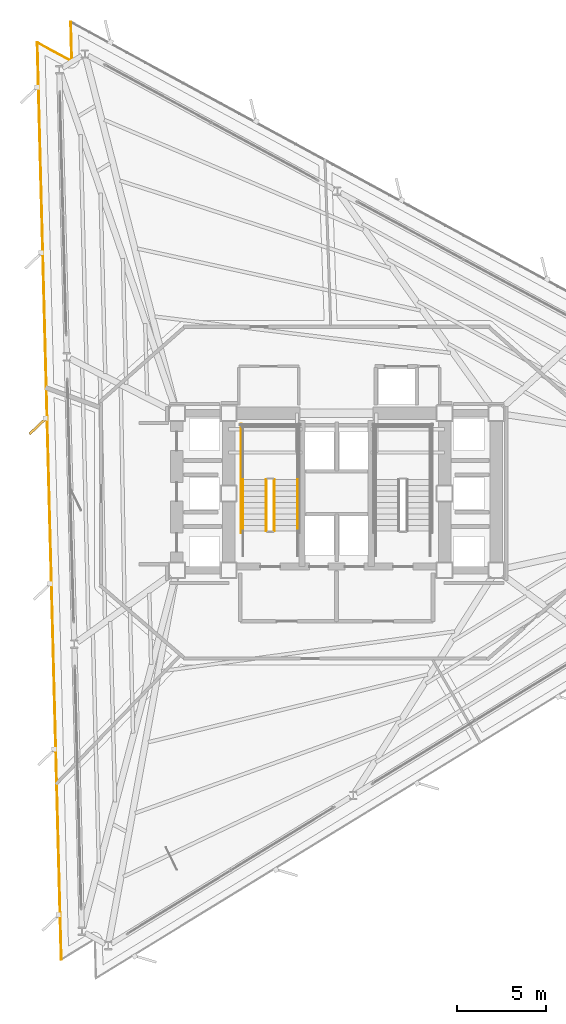
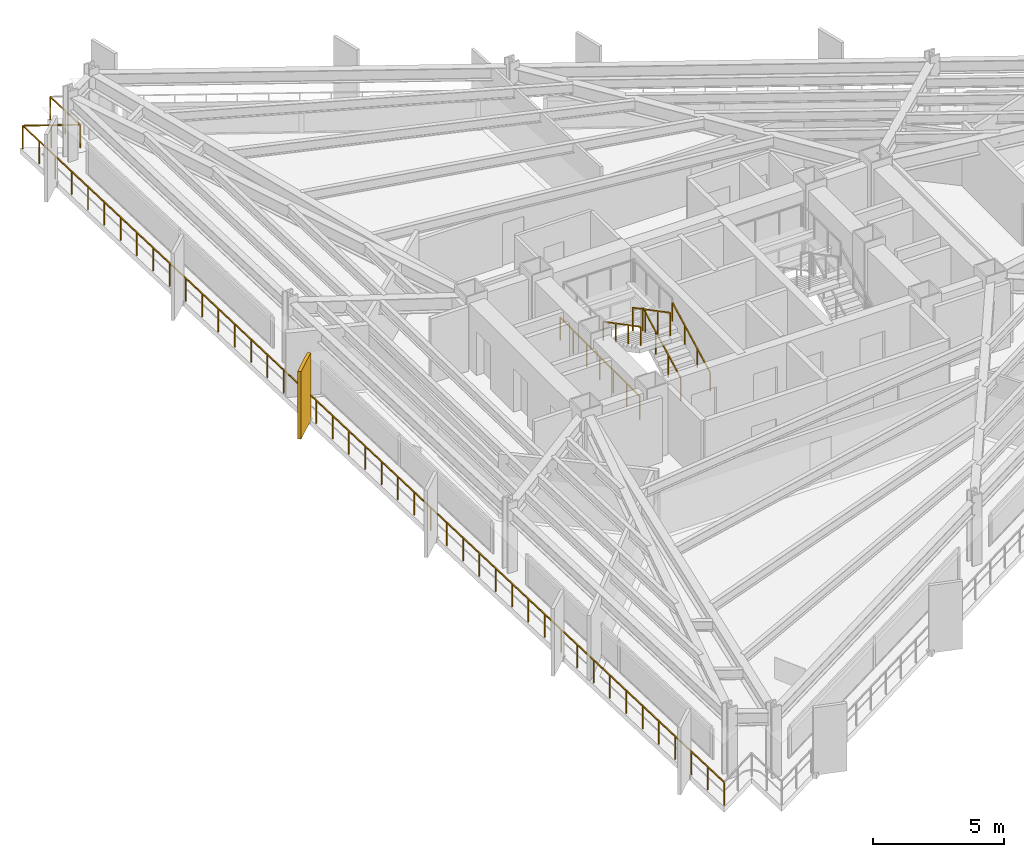
# One storey, part 12 of 14: 6 railings, 1 shading device.
"""IFC4 building model written with IfcOpenShell, lengths in metres."""

from ifc_helpers import new_model, si_unit, direction, frame, origin, origin_2d, place, context, subcontext, project, spatial, rectangle, extrude, material, layer, layer_set, type_object, element, save


model = new_model("IFC4")

# Units and contexts
model_context = context("Model", 3, precision=1e-05, world=origin(), true_north=direction((0.0, 1.0)))
body_context = subcontext(model_context, "Body", "Model", "MODEL_VIEW")
ifc_project = project(units=[si_unit("LENGTHUNIT", "METRE"), si_unit("AREAUNIT", "SQUARE_METRE"), si_unit("VOLUMEUNIT", "CUBIC_METRE"), si_unit("PLANEANGLEUNIT", "RADIAN"), si_unit("MASSUNIT", "GRAM", prefix="KILO")], contexts=[model_context])

# Site, building, storey
site_placement = place(None, origin())
site = spatial("IfcSite", under=ifc_project, at=site_placement, CompositionType="ELEMENT")
building_placement = place(site_placement, origin())
building = spatial("IfcBuilding", under=site, at=building_placement, Name="Rocaltana Carrier Exchange", CompositionType="ELEMENT")
storey_placement = place(building_placement, frame((0.0, 0.0, 42.39990234375)))
storey = spatial("IfcBuildingStorey", under=building, at=storey_placement, Name="L13", CompositionType="ELEMENT", Elevation=42.39990234375)

# Railings
ifc_material_1 = material(Name="Brushed Architectural Stainless Tube", Category="steel")
ifc_layer_1 = layer(ifc_material_1, 0.048095703125)
ifc_layer_set_1 = layer_set([ifc_layer_1], Name="Brushed Architectural Stainless Tube")
railing_type_1 = type_object("IfcRailingType", Name="Stair Wall Handrail 920", PredefinedType="HANDRAIL", material=ifc_layer_set_1)
railing_1_placement = place(storey_placement, frame((-2.18994140625, -2.10009765625, 0.168212890625)))
element("IfcRailing", 1, at=railing_1_placement, inside=storey, type_object=railing_type_1, Name="L13 ST-1 stair handrail 1", PredefinedType="HANDRAIL", context=body_context, shape_type="SweptSolid", body=[
    extrude(rectangle(XDim=0.048095703125, YDim=0.048095703125, at=origin_2d()), frame((0.0, 0.0, 0.8759765625), z_axis=(0.0, 0.885411030485, 0.464808893091), x_axis=(-1.0, 0.0, 0.0)), (0.0, 0.0, 1.0), 3.2529296875),
    extrude(rectangle(XDim=0.0419921875, YDim=0.0419921875, at=origin_2d()), origin(), (0.0, 0.0, 1.0), 0.851806640625),
    extrude(rectangle(XDim=0.0419921875, YDim=0.0419921875, at=origin_2d()), frame((0.0, 0.9599609375, 0.50390625)), (0.0, 0.0, 1.0), 0.851806640625),
    extrude(rectangle(XDim=0.0419921875, YDim=0.0419921875, at=origin_2d()), frame((0.0, 1.920166015625, 1.008056640625)), (0.0, 0.0, 1.0), 0.851806640625),
    extrude(rectangle(XDim=0.0419921875, YDim=0.0419921875, at=origin_2d()), frame((0.0, 2.880126953125, 1.511962890625)), (0.0, 0.0, 1.0), 0.851806640625),
])
railing_2_placement = place(storey_placement, frame((-5.25, 0.780029296875, 1.84814453125)))
element("IfcRailing", 2, at=railing_2_placement, inside=storey, type_object=railing_type_1, Name="L13 ST-1 stair handrail 2", PredefinedType="HANDRAIL", context=body_context, shape_type="SweptSolid", body=[
    extrude(rectangle(XDim=0.048095703125, YDim=0.048095703125, at=origin_2d()), frame((0.0, 0.0, 0.8759765625), z_axis=(0.0, -0.885411030485, 0.464808893091), x_axis=(1.0, 0.0, 0.0)), (0.0, 0.0, 1.0), 3.2529296875),
    extrude(rectangle(XDim=0.0419921875, YDim=0.0419921875, at=origin_2d()), origin(), (0.0, 0.0, 1.0), 0.851806640625),
    extrude(rectangle(XDim=0.0419921875, YDim=0.0419921875, at=origin_2d()), frame((0.0, -0.9599609375, 0.50390625)), (0.0, 0.0, 1.0), 0.851806640625),
    extrude(rectangle(XDim=0.0419921875, YDim=0.0419921875, at=origin_2d()), frame((0.0, -1.920166015625, 1.008056640625)), (0.0, 0.0, 1.0), 0.851806640625),
    extrude(rectangle(XDim=0.0419921875, YDim=0.0419921875, at=origin_2d()), frame((0.0, -2.880126953125, 1.511962890625)), (0.0, 0.0, 1.0), 0.851806640625),
])
ifc_material_2 = material(Name="Powder-Coated Aluminium 6063-T6", Category="aluminium")
ifc_layer_2 = layer(ifc_material_2, 0.048095703125)
ifc_layer_set_2 = layer_set([ifc_layer_2], Name="Powder-Coated Aluminium 6063-T6")
railing_type_2 = type_object("IfcRailingType", Name="Stair Well Guardrail 1100", PredefinedType="GUARDRAIL", material=ifc_layer_set_2)
railing_3_placement = place(storey_placement, frame((-3.489990234375, -2.10009765625, 0.168212890625)))
element("IfcRailing", 3, at=railing_3_placement, inside=storey, type_object=railing_type_2, Name="L13 ST-1 stair guard 1", PredefinedType="GUARDRAIL", context=body_context, shape_type="SweptSolid", body=[
    extrude(rectangle(XDim=0.048095703125, YDim=0.048095703125, at=origin_2d()), frame((0.0, 0.0, 1.076171875), z_axis=(0.0, 0.885411030485, 0.464808893091), x_axis=(-1.0, 0.0, 0.0)), (0.0, 0.0, 1.0), 3.2529296875),
    extrude(rectangle(XDim=0.0419921875, YDim=0.0419921875, at=origin_2d()), origin(), (0.0, 0.0, 1.0), 1.052001953125),
    extrude(rectangle(XDim=0.0419921875, YDim=0.0419921875, at=origin_2d()), frame((0.0, 0.9599609375, 0.50390625)), (0.0, 0.0, 1.0), 1.052001953125),
    extrude(rectangle(XDim=0.0419921875, YDim=0.0419921875, at=origin_2d()), frame((0.0, 1.920166015625, 1.008056640625)), (0.0, 0.0, 1.0), 1.052001953125),
    extrude(rectangle(XDim=0.0419921875, YDim=0.0419921875, at=origin_2d()), frame((0.0, 2.880126953125, 1.511962890625)), (0.0, 0.0, 1.0), 1.052001953125),
])
railing_4_placement = place(storey_placement, frame((-3.949951171875, 0.780029296875, 1.84814453125)))
element("IfcRailing", 4, at=railing_4_placement, inside=storey, type_object=railing_type_2, Name="L13 ST-1 stair guard 6", PredefinedType="GUARDRAIL", context=body_context, shape_type="SweptSolid", body=[
    extrude(rectangle(XDim=0.048095703125, YDim=0.048095703125, at=origin_2d()), frame((0.0, 0.0, 1.076171875), z_axis=(0.0, -0.885411030485, 0.464808893091), x_axis=(1.0, 0.0, 0.0)), (0.0, 0.0, 1.0), 3.2529296875),
    extrude(rectangle(XDim=0.0419921875, YDim=0.0419921875, at=origin_2d()), origin(), (0.0, 0.0, 1.0), 1.052001953125),
    extrude(rectangle(XDim=0.0419921875, YDim=0.0419921875, at=origin_2d()), frame((0.0, -0.9599609375, 0.50390625)), (0.0, 0.0, 1.0), 1.052001953125),
    extrude(rectangle(XDim=0.0419921875, YDim=0.0419921875, at=origin_2d()), frame((0.0, -1.920166015625, 1.008056640625)), (0.0, 0.0, 1.0), 1.052001953125),
    extrude(rectangle(XDim=0.0419921875, YDim=0.0419921875, at=origin_2d()), frame((0.0, -2.880126953125, 1.511962890625)), (0.0, 0.0, 1.0), 1.052001953125),
])
railing_5_placement = place(storey_placement, frame((-5.35009765625, -2.199951171875, 0.0)))
element("IfcRailing", 5, at=railing_5_placement, inside=storey, type_object=railing_type_2, Name="L13 ST-1 stair guard 11", PredefinedType="GUARDRAIL", context=body_context, shape_type="SweptSolid", body=[
    extrude(rectangle(XDim=0.048095703125, YDim=0.048095703125, at=origin_2d()), frame((0.0, 0.0, 1.076171875), z_axis=(0.0, 1.0, 0.0), x_axis=(-1.0, 0.0, 0.0)), (0.0, 0.0, 1.0), 6.099853515625),
    extrude(rectangle(XDim=0.0419921875, YDim=0.0419921875, at=origin_2d()), origin(), (0.0, 0.0, 1.0), 1.052001953125),
    extrude(rectangle(XDim=0.0419921875, YDim=0.0419921875, at=origin_2d()), frame((0.0, 1.0166015625, 0.0)), (0.0, 0.0, 1.0), 1.052001953125),
    extrude(rectangle(XDim=0.0419921875, YDim=0.0419921875, at=origin_2d()), frame((0.0, 2.033203125, 0.0)), (0.0, 0.0, 1.0), 1.052001953125),
    extrude(rectangle(XDim=0.0419921875, YDim=0.0419921875, at=origin_2d()), frame((0.0, 3.0498046875, 0.0)), (0.0, 0.0, 1.0), 1.052001953125),
    extrude(rectangle(XDim=0.0419921875, YDim=0.0419921875, at=origin_2d()), frame((0.0, 4.066650390625, 0.0)), (0.0, 0.0, 1.0), 1.052001953125),
    extrude(rectangle(XDim=0.0419921875, YDim=0.0419921875, at=origin_2d()), frame((0.0, 5.083251953125, 0.0)), (0.0, 0.0, 1.0), 1.052001953125),
    extrude(rectangle(XDim=0.0419921875, YDim=0.0419921875, at=origin_2d()), frame((0.0, 6.099853515625, 0.0)), (0.0, 0.0, 1.0), 1.052001953125),
])

# Shading device
ifc_material_3 = material(Name="Honed Bogota Sandstone & Concrete C45/55", Category="masonry")
ifc_layer_3 = layer(ifc_material_3, 0.139892578125)
ifc_layer_set_3 = layer_set([ifc_layer_3], Name="Honed Bogota Sandstone & Concrete C45/55")
shading_device_type = type_object("IfcShadingDeviceType", Name="Vertical Sandstone Shading Fin 1320x140", PredefinedType="USERDEFINED", material=ifc_layer_set_3)
shading_device_placement = place(storey_placement, frame((-16.7314453125, 3.78857421875, -0.1201171875), z_axis=(0.0, 0.0, 1.0), x_axis=(-0.725374371012, -0.688354575694, 0.0)))
element("IfcShadingDevice", 6, at=shading_device_placement, inside=storey, type_object=shading_device_type, Name="L13 Sandstone Vertical Fin F2-03", ObjectType="FIN", PredefinedType="USERDEFINED", context=body_context, shape_type="SweptSolid", body=[
    extrude(rectangle(XDim=1.320068359375, YDim=0.139892578125, at=origin_2d()), origin(), (0.0, 0.0, 1.0), 3.157958984375),
])

# Railing
ifc_material_4 = material(Name="Powder-Coated Aluminium 6063-T6", Category="aluminium")
ifc_layer_4 = layer(ifc_material_4, 0.06005859375)
ifc_layer_set_4 = layer_set([ifc_layer_4], Name="Powder-Coated Aluminium 6063-T6")
railing_type_3 = type_object("IfcRailingType", Name="Wind-Floor & Terrace Perimeter Guardrail 1100", PredefinedType="GUARDRAIL", material=ifc_layer_set_4)
railing_6_placement = place(storey_placement, frame((-15.427490234375, -26.10888671875, 0.0)))
element("IfcRailing", 7, at=railing_6_placement, inside=storey, type_object=railing_type_3, Name="L13 Perimeter Balcony Guardrail 2", PredefinedType="GUARDRAIL", context=body_context, shape_type="SweptSolid", body=[
    extrude(rectangle(XDim=0.048095703125, YDim=0.048095703125, at=origin_2d()), frame((0.0, 0.0, 1.076171875), z_axis=(-0.02618025491, 0.999657238384, 0.0), x_axis=(-0.999657238384, -0.02618025491, 0.0)), (0.0, 0.0, 1.0), 51.39208984375),
    extrude(rectangle(XDim=0.048095703125, YDim=0.048095703125, at=origin_2d()), frame((-1.345458984375, 51.37451171875, 1.076171875), z_axis=(0.878801578058, -0.477187370331, 0.0), x_axis=(0.477187370331, 0.878801578058, 0.0)), (0.0, 0.0, 1.0), 2.199951171875),
    extrude(rectangle(XDim=0.048095703125, YDim=0.048095703125, at=origin_2d()), frame((0.587890625, 50.32470703125, 1.076171875), z_axis=(-0.026187042546, 0.999657060598, 0.0), x_axis=(-0.999657060598, -0.026187042546, 0.0)), (0.0, 0.0, 1.0), 2.2001953125),
    extrude(rectangle(XDim=0.0419921875, YDim=0.0419921875, at=origin_2d()), origin(), (0.0, 0.0, 1.0), 1.052001953125),
    extrude(rectangle(XDim=0.0419921875, YDim=0.0419921875, at=origin_2d()), frame((-0.03125, 1.19482421875, 0.0)), (0.0, 0.0, 1.0), 1.052001953125),
    extrude(rectangle(XDim=0.0419921875, YDim=0.0419921875, at=origin_2d()), frame((-0.0625, 2.389404296875, 0.0)), (0.0, 0.0, 1.0), 1.052001953125),
    extrude(rectangle(XDim=0.0419921875, YDim=0.0419921875, at=origin_2d()), frame((-0.09375, 3.584228515625, 0.0)), (0.0, 0.0, 1.0), 1.052001953125),
    extrude(rectangle(XDim=0.0419921875, YDim=0.0419921875, at=origin_2d()), frame((-0.125244140625, 4.779052734375, 0.0)), (0.0, 0.0, 1.0), 1.052001953125),
    extrude(rectangle(XDim=0.0419921875, YDim=0.0419921875, at=origin_2d()), frame((-0.156494140625, 5.973876953125, 0.0)), (0.0, 0.0, 1.0), 1.052001953125),
    extrude(rectangle(XDim=0.0419921875, YDim=0.0419921875, at=origin_2d()), frame((-0.187744140625, 7.16845703125, 0.0)), (0.0, 0.0, 1.0), 1.052001953125),
    extrude(rectangle(XDim=0.0419921875, YDim=0.0419921875, at=origin_2d()), frame((-0.218994140625, 8.36328125, 0.0)), (0.0, 0.0, 1.0), 1.052001953125),
    extrude(rectangle(XDim=0.0419921875, YDim=0.0419921875, at=origin_2d()), frame((-0.250244140625, 9.55810546875, 0.0)), (0.0, 0.0, 1.0), 1.052001953125),
    extrude(rectangle(XDim=0.0419921875, YDim=0.0419921875, at=origin_2d()), frame((-0.281494140625, 10.752685546875, 0.0)), (0.0, 0.0, 1.0), 1.052001953125),
    extrude(rectangle(XDim=0.0419921875, YDim=0.0419921875, at=origin_2d()), frame((-0.31298828125, 11.947509765625, 0.0)), (0.0, 0.0, 1.0), 1.052001953125),
    extrude(rectangle(XDim=0.0419921875, YDim=0.0419921875, at=origin_2d()), frame((-0.34423828125, 13.142333984375, 0.0)), (0.0, 0.0, 1.0), 1.052001953125),
    extrude(rectangle(XDim=0.0419921875, YDim=0.0419921875, at=origin_2d()), frame((-0.37548828125, 14.337158203125, 0.0)), (0.0, 0.0, 1.0), 1.052001953125),
    extrude(rectangle(XDim=0.0419921875, YDim=0.0419921875, at=origin_2d()), frame((-0.40673828125, 15.53173828125, 0.0)), (0.0, 0.0, 1.0), 1.052001953125),
    extrude(rectangle(XDim=0.0419921875, YDim=0.0419921875, at=origin_2d()), frame((-0.43798828125, 16.7265625, 0.0)), (0.0, 0.0, 1.0), 1.052001953125),
    extrude(rectangle(XDim=0.0419921875, YDim=0.0419921875, at=origin_2d()), frame((-0.46923828125, 17.92138671875, 0.0)), (0.0, 0.0, 1.0), 1.052001953125),
    extrude(rectangle(XDim=0.0419921875, YDim=0.0419921875, at=origin_2d()), frame((-0.500732421875, 19.1162109375, 0.0)), (0.0, 0.0, 1.0), 1.052001953125),
    extrude(rectangle(XDim=0.0419921875, YDim=0.0419921875, at=origin_2d()), frame((-0.531982421875, 20.310791015625, 0.0)), (0.0, 0.0, 1.0), 1.052001953125),
    extrude(rectangle(XDim=0.0419921875, YDim=0.0419921875, at=origin_2d()), frame((-0.563232421875, 21.505615234375, 0.0)), (0.0, 0.0, 1.0), 1.052001953125),
    extrude(rectangle(XDim=0.0419921875, YDim=0.0419921875, at=origin_2d()), frame((-0.594482421875, 22.700439453125, 0.0)), (0.0, 0.0, 1.0), 1.052001953125),
    extrude(rectangle(XDim=0.0419921875, YDim=0.0419921875, at=origin_2d()), frame((-0.625732421875, 23.89501953125, 0.0)), (0.0, 0.0, 1.0), 1.052001953125),
    extrude(rectangle(XDim=0.0419921875, YDim=0.0419921875, at=origin_2d()), frame((-0.656982421875, 25.08984375, 0.0)), (0.0, 0.0, 1.0), 1.052001953125),
    extrude(rectangle(XDim=0.0419921875, YDim=0.0419921875, at=origin_2d()), frame((-0.6884765625, 26.28466796875, 0.0)), (0.0, 0.0, 1.0), 1.052001953125),
    extrude(rectangle(XDim=0.0419921875, YDim=0.0419921875, at=origin_2d()), frame((-0.7197265625, 27.4794921875, 0.0)), (0.0, 0.0, 1.0), 1.052001953125),
    extrude(rectangle(XDim=0.0419921875, YDim=0.0419921875, at=origin_2d()), frame((-0.7509765625, 28.674072265625, 0.0)), (0.0, 0.0, 1.0), 1.052001953125),
    extrude(rectangle(XDim=0.0419921875, YDim=0.0419921875, at=origin_2d()), frame((-0.7822265625, 29.868896484375, 0.0)), (0.0, 0.0, 1.0), 1.052001953125),
    extrude(rectangle(XDim=0.0419921875, YDim=0.0419921875, at=origin_2d()), frame((-0.8134765625, 31.063720703125, 0.0)), (0.0, 0.0, 1.0), 1.052001953125),
    extrude(rectangle(XDim=0.0419921875, YDim=0.0419921875, at=origin_2d()), frame((-0.8447265625, 32.25830078125, 0.0)), (0.0, 0.0, 1.0), 1.052001953125),
    extrude(rectangle(XDim=0.0419921875, YDim=0.0419921875, at=origin_2d()), frame((-0.876220703125, 33.453125, 0.0)), (0.0, 0.0, 1.0), 1.052001953125),
    extrude(rectangle(XDim=0.0419921875, YDim=0.0419921875, at=origin_2d()), frame((-0.907470703125, 34.64794921875, 0.0)), (0.0, 0.0, 1.0), 1.052001953125),
    extrude(rectangle(XDim=0.0419921875, YDim=0.0419921875, at=origin_2d()), frame((-0.938720703125, 35.8427734375, 0.0)), (0.0, 0.0, 1.0), 1.052001953125),
    extrude(rectangle(XDim=0.0419921875, YDim=0.0419921875, at=origin_2d()), frame((-0.969970703125, 37.037353515625, 0.0)), (0.0, 0.0, 1.0), 1.052001953125),
    extrude(rectangle(XDim=0.0419921875, YDim=0.0419921875, at=origin_2d()), frame((-1.001220703125, 38.232177734375, 0.0)), (0.0, 0.0, 1.0), 1.052001953125),
    extrude(rectangle(XDim=0.0419921875, YDim=0.0419921875, at=origin_2d()), frame((-1.032470703125, 39.427001953125, 0.0)), (0.0, 0.0, 1.0), 1.052001953125),
    extrude(rectangle(XDim=0.0419921875, YDim=0.0419921875, at=origin_2d()), frame((-1.06396484375, 40.621826171875, 0.0)), (0.0, 0.0, 1.0), 1.052001953125),
    extrude(rectangle(XDim=0.0419921875, YDim=0.0419921875, at=origin_2d()), frame((-1.09521484375, 41.81640625, 0.0)), (0.0, 0.0, 1.0), 1.052001953125),
    extrude(rectangle(XDim=0.0419921875, YDim=0.0419921875, at=origin_2d()), frame((-1.12646484375, 43.01123046875, 0.0)), (0.0, 0.0, 1.0), 1.052001953125),
    extrude(rectangle(XDim=0.0419921875, YDim=0.0419921875, at=origin_2d()), frame((-1.15771484375, 44.2060546875, 0.0)), (0.0, 0.0, 1.0), 1.052001953125),
    extrude(rectangle(XDim=0.0419921875, YDim=0.0419921875, at=origin_2d()), frame((-1.18896484375, 45.400634765625, 0.0)), (0.0, 0.0, 1.0), 1.052001953125),
    extrude(rectangle(XDim=0.0419921875, YDim=0.0419921875, at=origin_2d()), frame((-1.22021484375, 46.595458984375, 0.0)), (0.0, 0.0, 1.0), 1.052001953125),
    extrude(rectangle(XDim=0.0419921875, YDim=0.0419921875, at=origin_2d()), frame((-1.251708984375, 47.790283203125, 0.0)), (0.0, 0.0, 1.0), 1.052001953125),
    extrude(rectangle(XDim=0.0419921875, YDim=0.0419921875, at=origin_2d()), frame((-1.282958984375, 48.985107421875, 0.0)), (0.0, 0.0, 1.0), 1.052001953125),
    extrude(rectangle(XDim=0.0419921875, YDim=0.0419921875, at=origin_2d()), frame((-1.314208984375, 50.1796875, 0.0)), (0.0, 0.0, 1.0), 1.052001953125),
    extrude(rectangle(XDim=0.0419921875, YDim=0.0419921875, at=origin_2d()), frame((-1.345458984375, 51.37451171875, 0.0)), (0.0, 0.0, 1.0), 1.052001953125),
    extrude(rectangle(XDim=0.0419921875, YDim=0.0419921875, at=origin_2d()), frame((-0.37890625, 50.849609375, 0.0)), (0.0, 0.0, 1.0), 1.052001953125),
    extrude(rectangle(XDim=0.0419921875, YDim=0.0419921875, at=origin_2d()), frame((0.587890625, 50.32470703125, 0.0)), (0.0, 0.0, 1.0), 1.052001953125),
    extrude(rectangle(XDim=0.0419921875, YDim=0.0419921875, at=origin_2d()), frame((0.55908203125, 51.42431640625, 0.0)), (0.0, 0.0, 1.0), 1.052001953125),
    extrude(rectangle(XDim=0.0419921875, YDim=0.0419921875, at=origin_2d()), frame((0.5302734375, 52.524169921875, 0.0)), (0.0, 0.0, 1.0), 1.052001953125),
])

save(model, "model.ifc")
